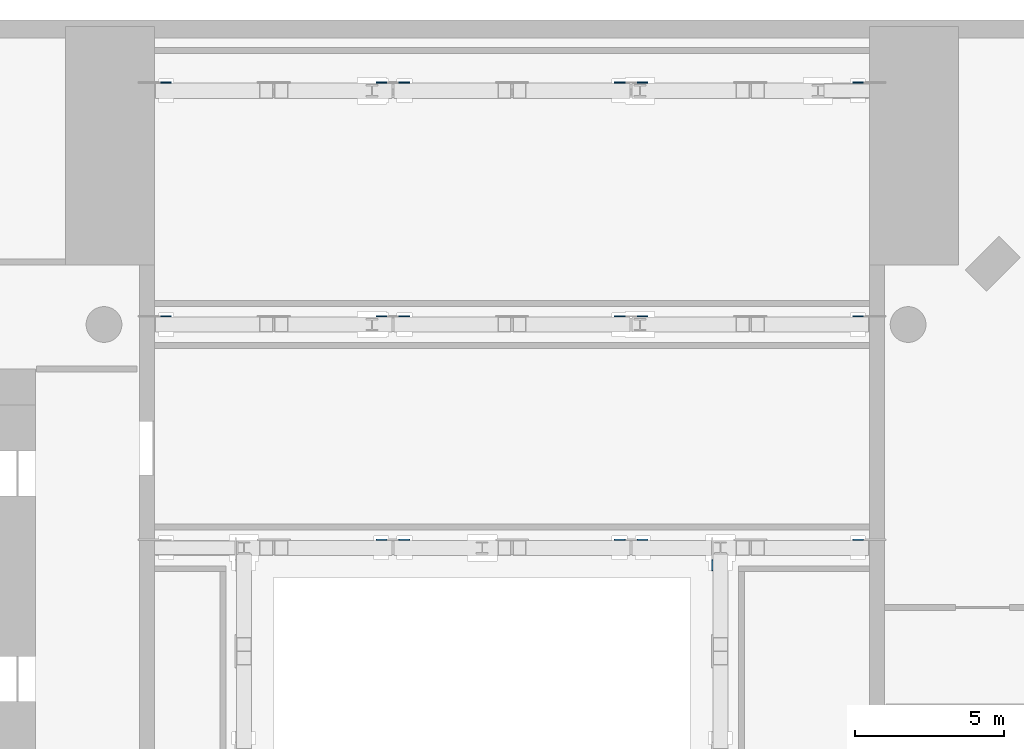
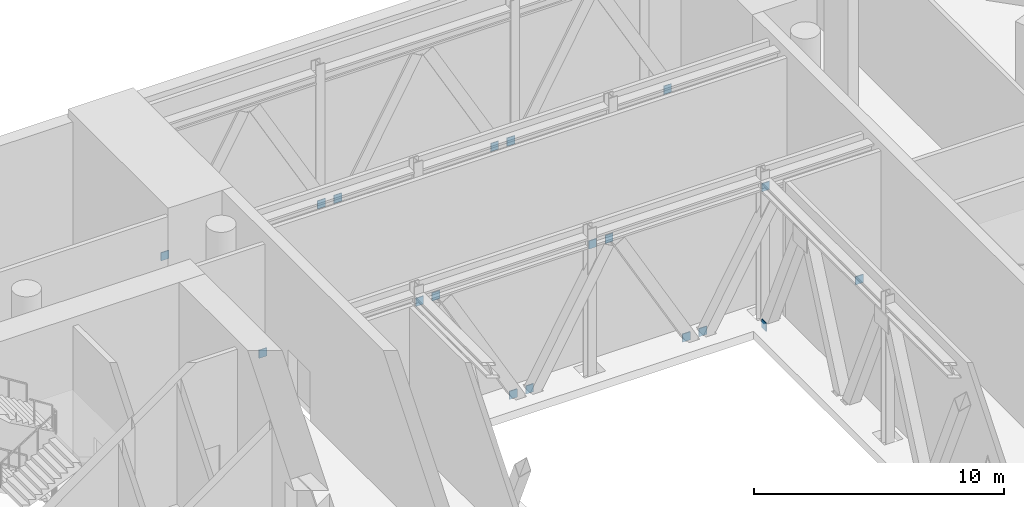
# One storey, part 10 of 21: 18 discrete accessories.
"""IFC4 building model written with IfcOpenShell, lengths in metres."""

from ifc_helpers import new_model, si_unit, direction, frame, origin, origin_2d, place, context, subcontext, project, spatial, rectangle, extrude, material, material_profile, profile_set, type_object, element, save


model = new_model("IFC4")

# Units and contexts
model_context = context("Model", 3, precision=1e-05, world=origin(), true_north=direction((0.0, 1.0)))
body_context = subcontext(model_context, "Body", "Model", "MODEL_VIEW")
ifc_project = project(units=[si_unit("LENGTHUNIT", "METRE"), si_unit("AREAUNIT", "SQUARE_METRE"), si_unit("VOLUMEUNIT", "CUBIC_METRE"), si_unit("PLANEANGLEUNIT", "RADIAN"), si_unit("MASSUNIT", "GRAM", prefix="KILO")], contexts=[model_context])

# Site, building, storey
site_placement = place(None, origin())
site = spatial("IfcSite", under=ifc_project, at=site_placement, CompositionType="ELEMENT")
building_placement = place(site_placement, origin())
building = spatial("IfcBuilding", under=site, at=building_placement, Name="Cypress Arch Tower", CompositionType="ELEMENT")
storey_placement = place(building_placement, frame((0.0, 0.0, 29.0)))
storey = spatial("IfcBuildingStorey", under=building, at=storey_placement, Name="L03", CompositionType="ELEMENT", Elevation=29.0)

# Discrete accessories
ifc_material = material(Name="Steel ASTM A992", Category="steel")
ifc_material_profile = material_profile(ifc_material, rectangle(XDim=0.360107421875, YDim=0.39990234375, at=origin_2d()), Name="PL 40 360x400")
ifc_profile_set = profile_set([ifc_material_profile], Name="Steel ASTM A992")
discrete_accessory_type = type_object("IfcDiscreteAccessoryType", Name="Truss diagonal foot plate 360x400x40 Steel ASTM A992", PredefinedType="ANCHORPLATE", material=ifc_profile_set)
for number, where, z_axis, x_axis, name in (
    (1, (-9.6201171875, 25.60400390625, -0.199951171875), (0.0, 1.0, 0.0), (-1.0, 0.0, 0.0), "Foot plate transfer truss NF diagonal 1"),
    (2, (-2.3798828125, 25.60400390625, -0.199951171875), (0.0, 1.0, 0.0), (-1.0, 0.0, 0.0), "Foot plate transfer truss NF diagonal 2"),
    (3, (-1.6201171875, 25.60400390625, -0.199951171875), (0.0, 1.0, 0.0), (-1.0, 0.0, 0.0), "Foot plate transfer truss NF diagonal 3"),
    (4, (5.6201171875, 25.60400390625, -0.199951171875), (0.0, 1.0, 0.0), (-1.0, 0.0, 0.0), "Foot plate transfer truss NF diagonal 4"),
    (5, (6.3798828125, 25.60400390625, -0.199951171875), (0.0, 1.0, 0.0), (-1.0, 0.0, 0.0), "Foot plate transfer truss NF diagonal 5"),
    (6, (13.6201171875, 25.60400390625, -0.199951171875), (0.0, 1.0, 0.0), (-1.0, 0.0, 0.0), "Foot plate transfer truss NF diagonal 6"),
    (7, (-9.6201171875, 17.75390625, -0.199951171875), (0.0, 1.0, 0.0), (-1.0, 0.0, 0.0), "Foot plate transfer truss N17 diagonal 1"),
    (8, (-2.3798828125, 17.75390625, -0.199951171875), (0.0, 1.0, 0.0), (-1.0, 0.0, 0.0), "Foot plate transfer truss N17 diagonal 2"),
    (9, (-1.6201171875, 17.75390625, -0.199951171875), (0.0, 1.0, 0.0), (-1.0, 0.0, 0.0), "Foot plate transfer truss N17 diagonal 3"),
    (10, (5.6201171875, 17.75390625, -0.199951171875), (0.0, 1.0, 0.0), (-1.0, 0.0, 0.0), "Foot plate transfer truss N17 diagonal 4"),
    (11, (6.3798828125, 17.75390625, -0.199951171875), (0.0, 1.0, 0.0), (-1.0, 0.0, 0.0), "Foot plate transfer truss N17 diagonal 5"),
    (12, (13.6201171875, 17.75390625, -0.199951171875), (0.0, 1.0, 0.0), (-1.0, 0.0, 0.0), "Foot plate transfer truss N17 diagonal 6"),
    (13, (-2.3798828125, 10.25390625, -0.199951171875), (0.0, 1.0, 0.0), (-1.0, 0.0, 0.0), "Foot plate transfer truss N10 diagonal 2"),
    (14, (-1.6201171875, 10.25390625, -0.199951171875), (0.0, 1.0, 0.0), (-1.0, 0.0, 0.0), "Foot plate transfer truss N10 diagonal 3"),
    (15, (5.6201171875, 10.25390625, -0.199951171875), (0.0, 1.0, 0.0), (-1.0, 0.0, 0.0), "Foot plate transfer truss N10 diagonal 4"),
    (16, (6.3798828125, 10.25390625, -0.199951171875), (0.0, 1.0, 0.0), (-1.0, 0.0, 0.0), "Foot plate transfer truss N10 diagonal 5"),
    (17, (13.6201171875, 10.25390625, -0.199951171875), (0.0, 1.0, 0.0), (-1.0, 0.0, 0.0), "Foot plate transfer truss N10 diagonal 6"),
    (18, (8.74609375, 9.41796875, -0.199951171875), (-1.0, 0.0, 0.0), (0.0, -1.0, 0.0), "Foot plate transfer truss R+9 diagonal 6"),
):
    element("IfcDiscreteAccessory", number, at=place(storey_placement, frame(where, z_axis=z_axis, x_axis=x_axis)), inside=storey, type_object=discrete_accessory_type, Name=name, PredefinedType="ANCHORPLATE", context=body_context, shape_type="SweptSolid", body=[
        extrude(rectangle(XDim=0.360107421875, YDim=0.39990234375, at=origin_2d()), origin(), (0.0, 0.0, 1.0), 0.0400390625),
    ])

save(model, "model.ifc")
